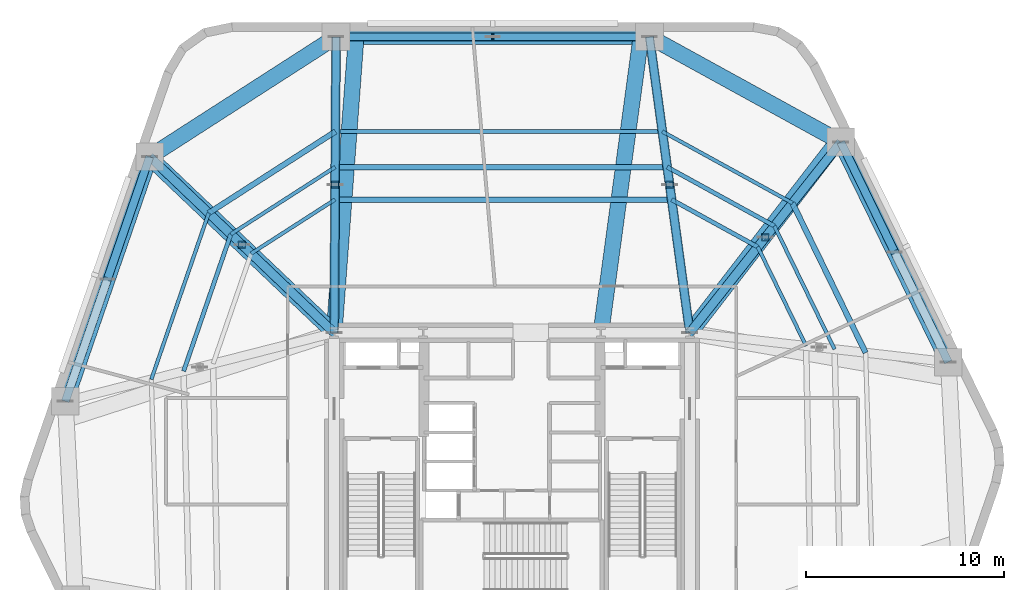
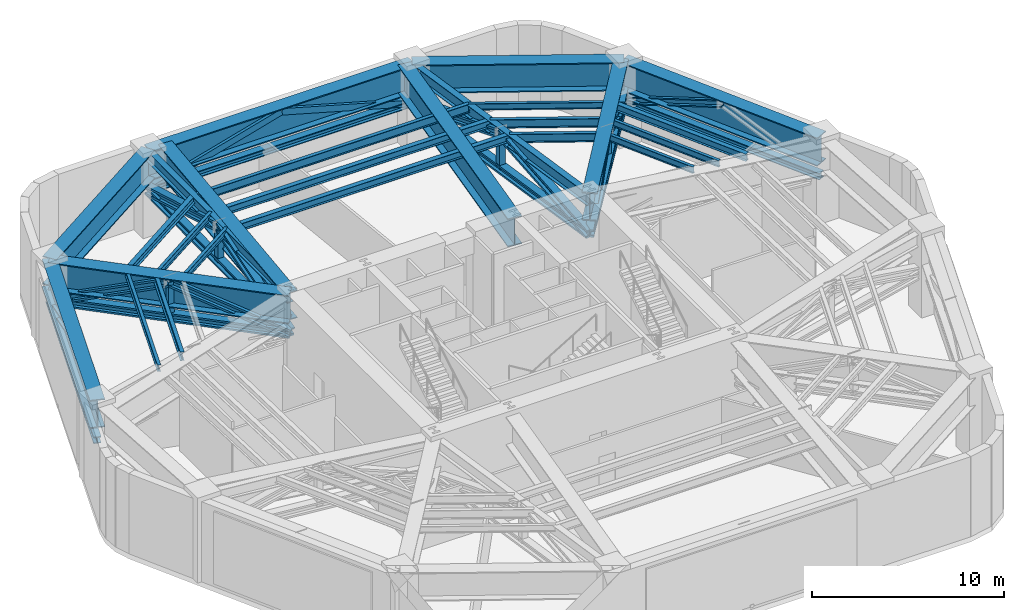
# One storey, part 4 of 11: 25 beams, 23 members.
"""IFC4 building model written with IfcOpenShell, lengths in metres."""

from ifc_helpers import new_model, si_unit, direction, frame, origin, origin_2d, place, context, subcontext, project, spatial, hollow_rectangle, i_section, extrude, material, material_profile, profile_set, type_object, element, save


model = new_model("IFC4")

# Units and contexts
model_context = context("Model", 3, precision=1e-05, world=origin(), true_north=direction((0.0, 1.0)))
body_context = subcontext(model_context, "Body", "Model", "MODEL_VIEW")
ifc_project = project(units=[si_unit("LENGTHUNIT", "METRE"), si_unit("AREAUNIT", "SQUARE_METRE"), si_unit("VOLUMEUNIT", "CUBIC_METRE"), si_unit("PLANEANGLEUNIT", "RADIAN"), si_unit("MASSUNIT", "GRAM", prefix="KILO")], contexts=[model_context])

# Site, building, storey
site_placement = place(None, origin())
site = spatial("IfcSite", under=ifc_project, at=site_placement, CompositionType="ELEMENT")
building_placement = place(site_placement, origin())
building = spatial("IfcBuilding", under=site, at=building_placement, Name="Kilnhurst Terrace Hotel", CompositionType="ELEMENT")
storey_placement = place(building_placement, frame((0.0, 0.0, 86.0)))
storey = spatial("IfcBuildingStorey", under=building, at=storey_placement, Name="L20", CompositionType="ELEMENT", Elevation=86.0)

# Beams
ifc_material_1 = material(Name="Steel ASTM A992 Grade 50", Category="steel")
ifc_material_profile_1 = material_profile(ifc_material_1, i_section(OverallWidth=0.354736328125, OverallDepth=0.695556640625, WebThickness=0.015380859375, FlangeThickness=0.025146484375, at=origin_2d()), Name="W27X146")
ifc_profile_set_1 = profile_set([ifc_material_profile_1], Name="Steel ASTM A992 Grade 50")
beam_type_1 = type_object("IfcBeamType", Name="BM-STL-W27X146", PredefinedType="BEAM", material=ifc_profile_set_1)
beam_1_placement = place(storey_placement, frame((-9.0, 7.5, 4.751953125), z_axis=(0.006339714179, 0.99997990381, 0.0), x_axis=(-0.99997990381, 0.006339714179, 0.0)))
element("IfcBeam", 1, at=beam_1_placement, inside=storey, type_object=beam_type_1, Name="L20 Radial Floor Beam 8", PredefinedType="BEAM", context=body_context, shape_type="SweptSolid", body=[
    extrude(i_section(OverallWidth=0.354736328125, OverallDepth=0.695556640625, WebThickness=0.015380859375, FlangeThickness=0.025146484375, at=origin_2d()), origin(), (0.0, 0.0, 1.0), 14.980224609375),
])
ifc_material_profile_2 = material_profile(ifc_material_1, i_section(OverallWidth=0.380615234375, OverallDepth=0.773193359375, WebThickness=0.0166015625, FlangeThickness=0.027099609375, at=origin_2d()), Name="W30X173")
ifc_profile_set_2 = profile_set([ifc_material_profile_2], Name="Steel ASTM A992 Grade 50")
beam_type_2 = type_object("IfcBeamType", Name="BM-STL-W30X173", PredefinedType="BEAM", material=ifc_profile_set_2)
beam_2_placement = place(storey_placement, frame((9.0, 7.5, 4.712890625), z_axis=(-0.13525588246, 0.990810701527, 0.0), x_axis=(-0.990810701527, -0.13525588246, 0.0)))
element("IfcBeam", 2, at=beam_2_placement, inside=storey, type_object=beam_type_2, Name="L20 Radial Floor Beam 7", PredefinedType="BEAM", context=body_context, shape_type="SweptSolid", body=[
    extrude(i_section(OverallWidth=0.380615234375, OverallDepth=0.773193359375, WebThickness=0.0166015625, FlangeThickness=0.027099609375, at=origin_2d()), origin(), (0.0, 0.0, 1.0), 15.118896484375),
])
ifc_material_profile_3 = material_profile(ifc_material_1, i_section(OverallWidth=0.180908203125, OverallDepth=0.417236328125, WebThickness=0.010986328125, FlangeThickness=0.018310546875, at=origin_2d()), Name="W16X57")
ifc_profile_set_3 = profile_set([ifc_material_profile_3], Name="Steel ASTM A992 Grade 50")
beam_type_3 = type_object("IfcBeamType", Name="JST-STL-W16X57", PredefinedType="JOIST", material=ifc_profile_set_3)
beam_3_placement = place(storey_placement, frame((14.197265625, 14.0634765625, 4.89111328125), z_axis=(-0.876246073632, 0.481863900334, 0.0), x_axis=(-0.481863900334, -0.876246073632, 0.0)))
element("IfcBeam", 3, at=beam_3_placement, inside=storey, type_object=beam_type_3, Name="L20 Secondary Floor Steel Joist OUT.6", PredefinedType="JOIST", context=body_context, shape_type="SweptSolid", body=[
    extrude(i_section(OverallWidth=0.180908203125, OverallDepth=0.417236328125, WebThickness=0.010986328125, FlangeThickness=0.018310546875, at=origin_2d()), origin(), (0.0, 0.0, 1.0), 7.518310546875),
])
beam_4_placement = place(storey_placement, frame((-15.349853515625, 13.5595703125, 4.89111328125), z_axis=(-0.326078536201, -0.945342682961, 0.0), x_axis=(0.945342682961, -0.326078536201, 0.0)))
element("IfcBeam", 4, at=beam_4_placement, inside=storey, type_object=beam_type_3, Name="L20 Secondary Floor Steel Joist OUT.9", PredefinedType="JOIST", context=body_context, shape_type="SweptSolid", body=[
    extrude(i_section(OverallWidth=0.180908203125, OverallDepth=0.417236328125, WebThickness=0.010986328125, FlangeThickness=0.018310546875, at=origin_2d()), origin(), (0.0, 0.0, 1.0), 8.90673828125),
])
beam_5_placement = place(storey_placement, frame((14.8876953125, 6.831298828125, 4.89111328125), z_axis=(-0.438896112695, 0.898537813484, 0.0), x_axis=(-0.898537813484, -0.438896112695, 0.0)))
element("IfcBeam", 5, at=beam_5_placement, inside=storey, type_object=beam_type_3, Name="L20 Secondary Floor Steel Joist IN.5", PredefinedType="JOIST", context=body_context, shape_type="SweptSolid", body=[
    extrude(i_section(OverallWidth=0.180908203125, OverallDepth=0.417236328125, WebThickness=0.010986328125, FlangeThickness=0.018310546875, at=origin_2d()), origin(), (0.0, 0.0, 1.0), 5.578125),
])
beam_6_placement = place(storey_placement, frame((-8.957275390625, 14.240966796875, 4.89111328125), z_axis=(-0.840988265896, -0.541053358389, 0.0), x_axis=(0.541053358389, -0.840988265896, 0.0)))
element("IfcBeam", 6, at=beam_6_placement, inside=storey, type_object=beam_type_3, Name="L20 Secondary Floor Steel Joist IN.8", PredefinedType="JOIST", context=body_context, shape_type="SweptSolid", body=[
    extrude(i_section(OverallWidth=0.180908203125, OverallDepth=0.417236328125, WebThickness=0.010986328125, FlangeThickness=0.018310546875, at=origin_2d()), origin(), (0.0, 0.0, 1.0), 5.04736328125),
])
beam_7_placement = place(storey_placement, frame((16.326904296875, 6.667724609375, 4.89111328125), z_axis=(-0.438922469067, 0.89852493908, 0.0), x_axis=(-0.89852493908, -0.438922469067, 0.0)))
element("IfcBeam", 7, at=beam_7_placement, inside=storey, type_object=beam_type_3, Name="L20 Secondary Floor Steel Joist MID.5", PredefinedType="JOIST", context=body_context, shape_type="SweptSolid", body=[
    extrude(i_section(OverallWidth=0.180908203125, OverallDepth=0.417236328125, WebThickness=0.010986328125, FlangeThickness=0.018310546875, at=origin_2d()), origin(), (0.0, 0.0, 1.0), 6.941650390625),
])
beam_8_placement = place(storey_placement, frame((-8.94677734375, 15.888916015625, 4.89111328125), z_axis=(-0.840975098445, -0.541073824719, 0.0), x_axis=(0.541073824719, -0.840975098445, 0.0)))
element("IfcBeam", 8, at=beam_8_placement, inside=storey, type_object=beam_type_3, Name="L20 Secondary Floor Steel Joist MID.8", PredefinedType="JOIST", context=body_context, shape_type="SweptSolid", body=[
    extrude(i_section(OverallWidth=0.180908203125, OverallDepth=0.417236328125, WebThickness=0.010986328125, FlangeThickness=0.018310546875, at=origin_2d()), origin(), (0.0, 0.0, 1.0), 6.28125),
])
ifc_material_profile_4 = material_profile(ifc_material_1, i_section(OverallWidth=0.279296875, OverallDepth=0.462890625, WebThickness=0.0107421875, FlangeThickness=0.017333984375, at=origin_2d()), Name="W18X76")
ifc_profile_set_4 = profile_set([ifc_material_profile_4], Name="Steel ASTM A992 Grade 50")
beam_type_4 = type_object("IfcBeamType", Name="JST-STL-W18X76", PredefinedType="JOIST", material=ifc_profile_set_4)
beam_9_placement = place(storey_placement, frame((17.897216796875, 6.489501953125, 4.867919921875), z_axis=(-0.438934275949, 0.898519171413, 0.0), x_axis=(-0.898519171413, -0.438934275949, 0.0)))
element("IfcBeam", 9, at=beam_9_placement, inside=storey, type_object=beam_type_4, Name="L20 Secondary Floor Steel Joist OUT.5", PredefinedType="JOIST", context=body_context, shape_type="SweptSolid", body=[
    extrude(i_section(OverallWidth=0.279296875, OverallDepth=0.462890625, WebThickness=0.0107421875, FlangeThickness=0.017333984375, at=origin_2d()), origin(), (0.0, 0.0, 1.0), 8.429443359375),
])
beam_10_placement = place(storey_placement, frame((-8.935302734375, 17.686279296875, 4.867919921875), z_axis=(-0.840995388529, -0.54104228714, 0.0), x_axis=(0.54104228714, -0.840995388529, 0.0)))
element("IfcBeam", 10, at=beam_10_placement, inside=storey, type_object=beam_type_4, Name="L20 Secondary Floor Steel Joist OUT.8", PredefinedType="JOIST", context=body_context, shape_type="SweptSolid", body=[
    extrude(i_section(OverallWidth=0.279296875, OverallDepth=0.462890625, WebThickness=0.0107421875, FlangeThickness=0.017333984375, at=origin_2d()), origin(), (0.0, 0.0, 1.0), 7.62744140625),
])
beam_11_placement = place(storey_placement, frame((8.079833984375, 14.240966796875, 4.867919921875), z_axis=(-1.0, 0.0, 0.0), x_axis=(0.0, -1.0, 0.0)))
element("IfcBeam", 11, at=beam_11_placement, inside=storey, type_object=beam_type_4, Name="L20 Secondary Floor Steel Joist IN.7", PredefinedType="JOIST", context=body_context, shape_type="SweptSolid", body=[
    extrude(i_section(OverallWidth=0.279296875, OverallDepth=0.462890625, WebThickness=0.0107421875, FlangeThickness=0.017333984375, at=origin_2d()), origin(), (0.0, 0.0, 1.0), 17.037109375),
])
beam_12_placement = place(storey_placement, frame((7.854736328125, 15.888916015625, 4.867919921875), z_axis=(-1.0, 0.0, 0.0), x_axis=(0.0, -1.0, 0.0)))
element("IfcBeam", 12, at=beam_12_placement, inside=storey, type_object=beam_type_4, Name="L20 Secondary Floor Steel Joist MID.7", PredefinedType="JOIST", context=body_context, shape_type="SweptSolid", body=[
    extrude(i_section(OverallWidth=0.279296875, OverallDepth=0.462890625, WebThickness=0.0107421875, FlangeThickness=0.017333984375, at=origin_2d()), origin(), (0.0, 0.0, 1.0), 16.801513671875),
])
ifc_material_profile_5 = material_profile(ifc_material_1, i_section(OverallWidth=0.2138671875, OverallDepth=0.549072265625, WebThickness=0.0146484375, FlangeThickness=0.023681640625, at=origin_2d()), Name="W21X93")
ifc_profile_set_5 = profile_set([ifc_material_profile_5], Name="Steel ASTM A992 Grade 50")
beam_type_5 = type_object("IfcBeamType", Name="JST-STL-W21X93", PredefinedType="JOIST", material=ifc_profile_set_5)
beam_13_placement = place(storey_placement, frame((7.609375, 17.686279296875, 4.824951171875), z_axis=(-1.0, 0.0, 0.0), x_axis=(0.0, -1.0, 0.0)))
element("IfcBeam", 13, at=beam_13_placement, inside=storey, type_object=beam_type_5, Name="L20 Secondary Floor Steel Joist OUT.7", PredefinedType="JOIST", context=body_context, shape_type="SweptSolid", body=[
    extrude(i_section(OverallWidth=0.2138671875, OverallDepth=0.549072265625, WebThickness=0.0146484375, FlangeThickness=0.023681640625, at=origin_2d()), origin(), (0.0, 0.0, 1.0), 16.544677734375),
])
beam_14_placement = place(storey_placement, frame((12.439453125, 11.843505859375, 4.824951171875), z_axis=(-0.876243879955, 0.481867889408, 0.0), x_axis=(-0.481867889408, -0.876243879955, 0.0)))
element("IfcBeam", 14, at=beam_14_placement, inside=storey, type_object=beam_type_5, Name="L20 Secondary Floor Steel Joist IN.6", PredefinedType="JOIST", context=body_context, shape_type="SweptSolid", body=[
    extrude(i_section(OverallWidth=0.2138671875, OverallDepth=0.549072265625, WebThickness=0.0146484375, FlangeThickness=0.023681640625, at=origin_2d()), origin(), (0.0, 0.0, 1.0), 4.975341796875),
])
beam_15_placement = place(storey_placement, frame((13.280029296875, 12.905029296875, 4.824951171875), z_axis=(-0.87621757367, 0.4819157225, 0.0), x_axis=(-0.4819157225, -0.87621757367, 0.0)))
element("IfcBeam", 15, at=beam_15_placement, inside=storey, type_object=beam_type_5, Name="L20 Secondary Floor Steel Joist MID.6", PredefinedType="JOIST", context=body_context, shape_type="SweptSolid", body=[
    extrude(i_section(OverallWidth=0.2138671875, OverallDepth=0.549072265625, WebThickness=0.0146484375, FlangeThickness=0.023681640625, at=origin_2d()), origin(), (0.0, 0.0, 1.0), 6.191650390625),
])
beam_16_placement = place(storey_placement, frame((-14.229248046875, 12.490234375, 4.824951171875), z_axis=(-0.326086077727, -0.945340081617, 0.0), x_axis=(0.945340081617, -0.326086077727, 0.0)))
element("IfcBeam", 16, at=beam_16_placement, inside=storey, type_object=beam_type_5, Name="L20 Secondary Floor Steel Joist MID.9", PredefinedType="JOIST", context=body_context, shape_type="SweptSolid", body=[
    extrude(i_section(OverallWidth=0.2138671875, OverallDepth=0.549072265625, WebThickness=0.0146484375, FlangeThickness=0.023681640625, at=origin_2d()), origin(), (0.0, 0.0, 1.0), 7.3349609375),
])

# Members
ifc_material_profile_6 = material_profile(ifc_material_1, i_section(OverallWidth=0.41845703125, OverallDepth=0.455078125, WebThickness=0.0419921875, FlangeThickness=0.067626953125, at=origin_2d()), Name="W14X370")
ifc_profile_set_6 = profile_set([ifc_material_profile_6], Name="Steel ASTM A992 Grade 50")
member_type_1 = type_object("IfcMemberType", Name="MEM-BLT-DIAG-370", PredefinedType="BRACE", material=ifc_profile_set_6)
member_1_placement = place(storey_placement, frame((16.64306640625, 17.152099609375, 2.52001953125), z_axis=(0.413066089168, -0.845441952446, 0.338532584878), x_axis=(0.898493817359, 0.438986173095, 0.0)))
element("IfcMember", 17, at=member_1_placement, inside=storey, type_object=member_type_1, Name="L20 Belt Truss Right Diagonal 3", PredefinedType="BRACE", context=body_context, shape_type="SweptSolid", body=[
    extrude(i_section(OverallWidth=0.41845703125, OverallDepth=0.455078125, WebThickness=0.0419921875, FlangeThickness=0.067626953125, at=origin_2d()), origin(), (0.0, 0.0, 1.0), 6.587158203125),
])
member_2_placement = place(storey_placement, frame((-18.337890625, 16.410888671875, 2.52001953125), z_axis=(-0.308776830074, -0.894852897944, 0.322327721816), x_axis=(0.945305614718, -0.326185981891, 0.0)))
element("IfcMember", 18, at=member_2_placement, inside=storey, type_object=member_type_1, Name="L20 Belt Truss Left Diagonal 5", PredefinedType="BRACE", context=body_context, shape_type="SweptSolid", body=[
    extrude(i_section(OverallWidth=0.41845703125, OverallDepth=0.455078125, WebThickness=0.0419921875, FlangeThickness=0.067626953125, at=origin_2d()), origin(), (0.0, 0.0, 1.0), 6.91845703125),
])
ifc_material_2 = material(Name="Steel ASTM A500 Grade C", Category="steel")
ifc_material_profile_7 = material_profile(ifc_material_2, hollow_rectangle(XDim=0.39990234375, YDim=0.39990234375, WallThickness=0.01611328125, at=origin_2d()), Name="HSS400X400X16")
ifc_profile_set_7 = profile_set([ifc_material_profile_7], Name="Steel ASTM A500 Grade C")
member_type_2 = type_object("IfcMemberType", Name="MEM-BLT-HSS-400", PredefinedType="BRACE", material=ifc_profile_set_7)
member_3_placement = place(storey_placement, frame((6.955078125, 22.47998046875, 2.52001953125), z_axis=(-0.962663008488, 0.0, 0.270702663615), x_axis=(0.0, -1.0, 0.0)))
element("IfcMember", 19, at=member_3_placement, inside=storey, type_object=member_type_2, Name="L20 Belt Truss Left Diagonal 4", PredefinedType="BRACE", context=body_context, shape_type="SweptSolid", body=[
    extrude(hollow_rectangle(XDim=0.39990234375, YDim=0.39990234375, WallThickness=0.01611328125, at=origin_2d()), origin(), (0.0, 0.0, 1.0), 8.23779296875),
])
member_4_placement = place(storey_placement, frame((-8.905029296875, 22.47998046875, 2.52001953125), z_axis=(0.962660836612, 0.0, 0.270710387045), x_axis=(0.0, 1.0, 0.0)))
element("IfcMember", 20, at=member_4_placement, inside=storey, type_object=member_type_2, Name="L20 Belt Truss Right Diagonal 4", PredefinedType="BRACE", context=body_context, shape_type="SweptSolid", body=[
    extrude(hollow_rectangle(XDim=0.39990234375, YDim=0.39990234375, WallThickness=0.01611328125, at=origin_2d()), origin(), (0.0, 0.0, 1.0), 8.237548828125),
])
ifc_material_profile_8 = material_profile(ifc_material_1, i_section(OverallWidth=0.40625, OverallDepth=0.416015625, WebThickness=0.02978515625, FlangeThickness=0.048095703125, at=origin_2d()), Name="W14X257")
ifc_profile_set_8 = profile_set([ifc_material_profile_8], Name="Steel ASTM A992 Grade 50")
member_type_3 = type_object("IfcMemberType", Name="MEM-CHD-W14X257", PredefinedType="CHORD", material=ifc_profile_set_8)
member_5_placement = place(storey_placement, frame((22.083984375, 6.013916015625, 2.52001953125), z_axis=(-0.438922573627, 0.898524888003, 0.0), x_axis=(-0.898524888003, -0.438922573627, 0.0)))
element("IfcMember", 21, at=member_5_placement, inside=storey, type_object=member_type_3, Name="L20 Belt Truss Bottom Chord 3", PredefinedType="CHORD", context=body_context, shape_type="SweptSolid", body=[
    extrude(i_section(OverallWidth=0.40625, OverallDepth=0.416015625, WebThickness=0.02978515625, FlangeThickness=0.048095703125, at=origin_2d()), origin(), (0.0, 0.0, 1.0), 12.39599609375),
])
member_6_placement = place(storey_placement, frame((6.955078125, 22.47998046875, 2.52001953125), z_axis=(-1.0, 0.0, 0.0), x_axis=(0.0, -1.0, 0.0)))
element("IfcMember", 22, at=member_6_placement, inside=storey, type_object=member_type_3, Name="L20 Belt Truss Bottom Chord 4", PredefinedType="CHORD", context=body_context, shape_type="SweptSolid", body=[
    extrude(i_section(OverallWidth=0.40625, OverallDepth=0.416015625, WebThickness=0.02978515625, FlangeThickness=0.048095703125, at=origin_2d()), origin(), (0.0, 0.0, 1.0), 15.860107421875),
])
member_7_placement = place(storey_placement, frame((-18.337890625, 16.410888671875, 2.52001953125), z_axis=(-0.326086040191, -0.945340094565, 0.0), x_axis=(0.945340094565, -0.326086040191, 0.0)))
element("IfcMember", 23, at=member_7_placement, inside=storey, type_object=member_type_3, Name="L20 Belt Truss Bottom Chord 5", PredefinedType="CHORD", context=body_context, shape_type="SweptSolid", body=[
    extrude(i_section(OverallWidth=0.40625, OverallDepth=0.416015625, WebThickness=0.02978515625, FlangeThickness=0.048095703125, at=origin_2d()), origin(), (0.0, 0.0, 1.0), 13.09765625),
])
ifc_material_profile_9 = material_profile(ifc_material_1, i_section(OverallWidth=0.44189453125, OverallDepth=0.531494140625, WebThickness=0.06591796875, FlangeThickness=0.105712890625, at=origin_2d()), Name="W14X605")
ifc_profile_set_9 = profile_set([ifc_material_profile_9], Name="Steel ASTM A992 Grade 50")
member_type_4 = type_object("IfcMemberType", Name="MEM-CHD-W14X605", PredefinedType="CHORD", material=ifc_profile_set_9)
member_8_placement = place(storey_placement, frame((9.0, 7.5, 2.52001953125), z_axis=(0.62079385707, 0.783973843329, 0.0), x_axis=(-0.783973843329, 0.62079385707, 0.0)))
element("IfcMember", 24, at=member_8_placement, inside=storey, type_object=member_type_4, Name="L20 Outrigger Bottom Chord 6", PredefinedType="CHORD", context=body_context, shape_type="SweptSolid", body=[
    extrude(i_section(OverallWidth=0.44189453125, OverallDepth=0.531494140625, WebThickness=0.06591796875, FlangeThickness=0.105712890625, at=origin_2d()), origin(), (0.0, 0.0, 1.0), 12.311767578125),
])
member_9_placement = place(storey_placement, frame((9.0, 7.5, 2.52001953125), z_axis=(-0.13525588246, 0.990810701527, 0.0), x_axis=(-0.990810701527, -0.13525588246, 0.0)))
element("IfcMember", 25, at=member_9_placement, inside=storey, type_object=member_type_4, Name="L20 Outrigger Bottom Chord 7", PredefinedType="CHORD", context=body_context, shape_type="SweptSolid", body=[
    extrude(i_section(OverallWidth=0.44189453125, OverallDepth=0.531494140625, WebThickness=0.06591796875, FlangeThickness=0.105712890625, at=origin_2d()), origin(), (0.0, 0.0, 1.0), 15.118896484375),
])
member_10_placement = place(storey_placement, frame((-9.0, 7.5, 2.52001953125), z_axis=(0.006339714179, 0.99997990381, 0.0), x_axis=(-0.99997990381, 0.006339714179, 0.0)))
element("IfcMember", 26, at=member_10_placement, inside=storey, type_object=member_type_4, Name="L20 Outrigger Bottom Chord 8", PredefinedType="CHORD", context=body_context, shape_type="SweptSolid", body=[
    extrude(i_section(OverallWidth=0.44189453125, OverallDepth=0.531494140625, WebThickness=0.06591796875, FlangeThickness=0.105712890625, at=origin_2d()), origin(), (0.0, 0.0, 1.0), 14.980224609375),
])
member_11_placement = place(storey_placement, frame((-9.0, 7.5, 2.52001953125), z_axis=(-0.723454302813, 0.690372270403, 0.0), x_axis=(-0.690372270403, -0.723454302813, 0.0)))
element("IfcMember", 27, at=member_11_placement, inside=storey, type_object=member_type_4, Name="L20 Outrigger Bottom Chord 9", PredefinedType="CHORD", context=body_context, shape_type="SweptSolid", body=[
    extrude(i_section(OverallWidth=0.44189453125, OverallDepth=0.531494140625, WebThickness=0.06591796875, FlangeThickness=0.105712890625, at=origin_2d()), origin(), (0.0, 0.0, 1.0), 12.907470703125),
])
ifc_material_profile_10 = material_profile(ifc_material_1, i_section(OverallWidth=0.454345703125, OverallDepth=0.569091796875, WebThickness=0.077880859375, FlangeThickness=0.124755859375, at=origin_2d()), Name="W14X730")
ifc_profile_set_10 = profile_set([ifc_material_profile_10], Name="Steel ASTM A992 Grade 50")
member_type_5 = type_object("IfcMemberType", Name="MEM-OTR-DIAG-730", PredefinedType="BRACE", material=ifc_profile_set_10)
member_12_placement = place(storey_placement, frame((9.0, 7.5, 2.52001953125), z_axis=(0.58373424017, 0.737060027176, 0.340583107615), x_axis=(-0.783927596889, 0.620852255239, 0.0)))
element("IfcMember", 28, at=member_12_placement, inside=storey, type_object=member_type_5, Name="L20 Outrigger Inner Diagonal 6", PredefinedType="BRACE", context=body_context, shape_type="SweptSolid", body=[
    extrude(i_section(OverallWidth=0.454345703125, OverallDepth=0.569091796875, WebThickness=0.077880859375, FlangeThickness=0.124755859375, at=origin_2d()), origin(), (0.0, 0.0, 1.0), 6.547607421875),
])
member_13_placement = place(storey_placement, frame((12.822021484375, 12.325927734375, 4.75), z_axis=(0.583619857175, 0.737141226544, -0.340603397575), x_axis=(-0.784020088535, 0.62073545152, 0.0)))
element("IfcMember", 29, at=member_13_placement, inside=storey, type_object=member_type_5, Name="L20 Outrigger Outer Diagonal 6", PredefinedType="BRACE", context=body_context, shape_type="SweptSolid", body=[
    extrude(i_section(OverallWidth=0.454345703125, OverallDepth=0.569091796875, WebThickness=0.077880859375, FlangeThickness=0.124755859375, at=origin_2d()), origin(), (0.0, 0.0, 1.0), 6.547119140625),
])
member_14_placement = place(storey_placement, frame((9.0, 7.5, 2.52001953125), z_axis=(-0.129668163194, 0.950331958582, 0.28294051663), x_axis=(-0.990819355754, -0.135192471175, 0.0)))
element("IfcMember", 30, at=member_14_placement, inside=storey, type_object=member_type_5, Name="L20 Outrigger Inner Diagonal 7", PredefinedType="BRACE", context=body_context, shape_type="SweptSolid", body=[
    extrude(i_section(OverallWidth=0.454345703125, OverallDepth=0.569091796875, WebThickness=0.077880859375, FlangeThickness=0.124755859375, at=origin_2d()), origin(), (0.0, 0.0, 1.0), 7.88134765625),
])
member_15_placement = place(storey_placement, frame((7.97802734375, 14.989990234375, 4.75), z_axis=(-0.129789983424, 0.950316682929, -0.282935968639), x_axis=(-0.990802043392, -0.135319292083, 0.0)))
element("IfcMember", 31, at=member_15_placement, inside=storey, type_object=member_type_5, Name="L20 Outrigger Outer Diagonal 7", PredefinedType="BRACE", context=body_context, shape_type="SweptSolid", body=[
    extrude(i_section(OverallWidth=0.454345703125, OverallDepth=0.569091796875, WebThickness=0.077880859375, FlangeThickness=0.124755859375, at=origin_2d()), origin(), (0.0, 0.0, 1.0), 7.881591796875),
])
for number, where, z_axis, x_axis, name in (
    (32, (-9.0, 7.5, 2.52001953125), (0.006029283014, 0.958406080773, 0.285344409589), (-0.999980212573, 0.006290823724, 0.0), "L20 Outrigger Inner Diagonal 8"),
    (33, (-8.952880859375, 14.989990234375, 4.75), (0.006122998952, 0.958405535007, -0.285344247099), (-0.999979592657, 0.006388604588, 0.0), "L20 Outrigger Outer Diagonal 8"),
):
    element("IfcMember", number, at=place(storey_placement, frame(where, z_axis=z_axis, x_axis=x_axis)), inside=storey, type_object=member_type_5, Name=name, PredefinedType="BRACE", context=body_context, shape_type="SweptSolid", body=[
        extrude(i_section(OverallWidth=0.454345703125, OverallDepth=0.569091796875, WebThickness=0.077880859375, FlangeThickness=0.124755859375, at=origin_2d()), origin(), (0.0, 0.0, 1.0), 7.81494140625),
    ])
member_16_placement = place(storey_placement, frame((-9.0, 7.5, 2.52001953125), z_axis=(-0.683744834624, 0.652568015141, 0.326570033437), x_axis=(-0.690421764346, -0.723407068888, 0.0)))
element("IfcMember", 34, at=member_16_placement, inside=storey, type_object=member_type_5, Name="L20 Outrigger Inner Diagonal 9", PredefinedType="BRACE", context=body_context, shape_type="SweptSolid", body=[
    extrude(i_section(OverallWidth=0.454345703125, OverallDepth=0.569091796875, WebThickness=0.077880859375, FlangeThickness=0.124755859375, at=origin_2d()), origin(), (0.0, 0.0, 1.0), 6.828369140625),
])
member_17_placement = place(storey_placement, frame((-13.6689453125, 11.9560546875, 4.75), z_axis=(-0.683824601333, 0.652465357693, -0.326608131592), x_axis=(-0.690322766765, -0.723501539519, 0.0)))
element("IfcMember", 35, at=member_17_placement, inside=storey, type_object=member_type_5, Name="L20 Outrigger Outer Diagonal 9", PredefinedType="BRACE", context=body_context, shape_type="SweptSolid", body=[
    extrude(i_section(OverallWidth=0.454345703125, OverallDepth=0.569091796875, WebThickness=0.077880859375, FlangeThickness=0.124755859375, at=origin_2d()), origin(), (0.0, 0.0, 1.0), 6.82763671875),
])
ifc_material_profile_11 = material_profile(ifc_material_2, hollow_rectangle(XDim=0.35009765625, YDim=0.35009765625, WallThickness=0.01611328125, at=origin_2d()), Name="HSS350X350X16")
ifc_profile_set_11 = profile_set([ifc_material_profile_11], Name="Steel ASTM A500 Grade C")
member_type_6 = type_object("IfcMemberType", Name="MEM-STR-HSS350", PredefinedType="STRUT", material=ifc_profile_set_11)
for number, where, z_axis, x_axis, name in (
    (36, (12.822021484375, 12.325927734375, 2.52001953125), (0.0, 0.0, 1.0), (1.0, 0.0, 0.0), "L20 Outrigger Web Post 6"),
    (37, (7.97802734375, 14.989990234375, 2.52001953125), (0.0, 0.0, 1.0), (1.0, 0.0, 0.0), "L20 Outrigger Web Post 7"),
    (38, (-8.952880859375, 14.989990234375, 2.52001953125), (0.0, 0.0, 1.0), (1.0, 0.0, 0.0), "L20 Outrigger Web Post 8"),
    (39, (-13.6689453125, 11.9560546875, 2.52001953125), (0.0, 0.0, 1.0), (1.0, 0.0, 0.0), "L20 Outrigger Web Post 9"),
):
    element("IfcMember", number, at=place(storey_placement, frame(where, z_axis=z_axis, x_axis=x_axis)), inside=storey, type_object=member_type_6, Name=name, PredefinedType="STRUT", context=body_context, shape_type="SweptSolid", body=[
        extrude(hollow_rectangle(XDim=0.35009765625, YDim=0.35009765625, WallThickness=0.01611328125, at=origin_2d()), origin(), (0.0, 0.0, 1.0), 2.22998046875),
    ])

# Beams
ifc_material_3 = material(Name="Steel ASTM A572 Grade 50", Category="steel")
ifc_material_profile_12 = material_profile(ifc_material_3, i_section(OverallWidth=0.800048828125, OverallDepth=1.800048828125, WebThickness=0.0400390625, FlangeThickness=0.06494140625, at=origin_2d()), Name="PG1800X800")
ifc_profile_set_12 = profile_set([ifc_material_profile_12], Name="Steel ASTM A572 Grade 50")
beam_type_6 = type_object("IfcBeamType", Name="TG-STEP-1800", PredefinedType="USERDEFINED", material=ifc_profile_set_12)
beam_17_placement = place(storey_placement, frame((22.083984375, 6.013916015625, 4.199951171875), z_axis=(-0.438922573627, 0.898524888003, 0.0), x_axis=(-0.898524888003, -0.438922573627, 0.0)))
element("IfcBeam", 40, at=beam_17_placement, inside=storey, type_object=beam_type_6, Name="L20 Zone Step Perimeter Transfer Girder 5", ObjectType="GIRDER", PredefinedType="USERDEFINED", context=body_context, shape_type="SweptSolid", body=[
    extrude(i_section(OverallWidth=0.800048828125, OverallDepth=1.800048828125, WebThickness=0.0400390625, FlangeThickness=0.06494140625, at=origin_2d()), origin(), (0.0, 0.0, 1.0), 12.39599609375),
])
beam_18_placement = place(storey_placement, frame((16.64306640625, 17.152099609375, 4.199951171875), z_axis=(-0.876235488803, 0.481883147829, 0.0), x_axis=(-0.481883147829, -0.876235488803, 0.0)))
element("IfcBeam", 41, at=beam_18_placement, inside=storey, type_object=beam_type_6, Name="L20 Zone Step Perimeter Transfer Girder 6", ObjectType="GIRDER", PredefinedType="USERDEFINED", context=body_context, shape_type="SweptSolid", body=[
    extrude(i_section(OverallWidth=0.800048828125, OverallDepth=1.800048828125, WebThickness=0.0400390625, FlangeThickness=0.06494140625, at=origin_2d()), origin(), (0.0, 0.0, 1.0), 11.056396484375),
])
beam_19_placement = place(storey_placement, frame((6.955078125, 22.47998046875, 4.199951171875), z_axis=(-1.0, 0.0, 0.0), x_axis=(0.0, -1.0, 0.0)))
element("IfcBeam", 42, at=beam_19_placement, inside=storey, type_object=beam_type_6, Name="L20 Zone Step Perimeter Transfer Girder 7", ObjectType="GIRDER", PredefinedType="USERDEFINED", context=body_context, shape_type="SweptSolid", body=[
    extrude(i_section(OverallWidth=0.800048828125, OverallDepth=1.800048828125, WebThickness=0.0400390625, FlangeThickness=0.06494140625, at=origin_2d()), origin(), (0.0, 0.0, 1.0), 15.860107421875),
])
beam_20_placement = place(storey_placement, frame((-8.905029296875, 22.47998046875, 4.199951171875), z_axis=(-0.840971204873, -0.541079876335, 0.0), x_axis=(0.541079876335, -0.840971204873, 0.0)))
element("IfcBeam", 43, at=beam_20_placement, inside=storey, type_object=beam_type_6, Name="L20 Zone Step Perimeter Transfer Girder 8", ObjectType="GIRDER", PredefinedType="USERDEFINED", context=body_context, shape_type="SweptSolid", body=[
    extrude(i_section(OverallWidth=0.800048828125, OverallDepth=1.800048828125, WebThickness=0.0400390625, FlangeThickness=0.06494140625, at=origin_2d()), origin(), (0.0, 0.0, 1.0), 11.216552734375),
])
beam_21_placement = place(storey_placement, frame((-18.337890625, 16.410888671875, 4.199951171875), z_axis=(-0.326086040191, -0.945340094565, 0.0), x_axis=(0.945340094565, -0.326086040191, 0.0)))
element("IfcBeam", 44, at=beam_21_placement, inside=storey, type_object=beam_type_6, Name="L20 Zone Step Perimeter Transfer Girder 9", ObjectType="GIRDER", PredefinedType="USERDEFINED", context=body_context, shape_type="SweptSolid", body=[
    extrude(i_section(OverallWidth=0.800048828125, OverallDepth=1.800048828125, WebThickness=0.0400390625, FlangeThickness=0.06494140625, at=origin_2d()), origin(), (0.0, 0.0, 1.0), 13.09765625),
])
beam_22_placement = place(storey_placement, frame((9.0, 7.5, 4.199951171875), z_axis=(0.610902751809, 0.791705644689, 0.0), x_axis=(-0.791705644689, 0.610902751809, 0.0)))
element("IfcBeam", 45, at=beam_22_placement, inside=storey, type_object=beam_type_6, Name="L20 Zone Step Radial Transfer Girder 6", ObjectType="GIRDER", PredefinedType="USERDEFINED", context=body_context, shape_type="SweptSolid", body=[
    extrude(i_section(OverallWidth=0.800048828125, OverallDepth=1.800048828125, WebThickness=0.0400390625, FlangeThickness=0.06494140625, at=origin_2d()), origin(), (0.0, 0.0, 1.0), 12.28662109375),
])
beam_23_placement = place(storey_placement, frame((4.5, 7.5, 4.199951171875), z_axis=(0.133955619973, 0.990987331845, 0.0), x_axis=(-0.990987331845, 0.133955619973, 0.0)))
element("IfcBeam", 46, at=beam_23_placement, inside=storey, type_object=beam_type_6, Name="L20 Zone Step Radial Transfer Girder 7", ObjectType="GIRDER", PredefinedType="USERDEFINED", context=body_context, shape_type="SweptSolid", body=[
    extrude(i_section(OverallWidth=0.800048828125, OverallDepth=1.800048828125, WebThickness=0.0400390625, FlangeThickness=0.06494140625, at=origin_2d()), origin(), (0.0, 0.0, 1.0), 15.1162109375),
])
beam_24_placement = place(storey_placement, frame((-9.0, 7.5, 4.199951171875), z_axis=(0.074113548841, 0.997249809164, 0.0), x_axis=(-0.997249809164, 0.074113548841, 0.0)))
element("IfcBeam", 47, at=beam_24_placement, inside=storey, type_object=beam_type_6, Name="L20 Zone Step Radial Transfer Girder 8", ObjectType="GIRDER", PredefinedType="USERDEFINED", context=body_context, shape_type="SweptSolid", body=[
    extrude(i_section(OverallWidth=0.800048828125, OverallDepth=1.800048828125, WebThickness=0.0400390625, FlangeThickness=0.06494140625, at=origin_2d()), origin(), (0.0, 0.0, 1.0), 15.021240234375),
])
beam_25_placement = place(storey_placement, frame((-9.0, 7.5, 4.199951171875), z_axis=(-0.724956888216, 0.688794243753, 0.0), x_axis=(-0.688794243753, -0.724956888216, 0.0)))
element("IfcBeam", 48, at=beam_25_placement, inside=storey, type_object=beam_type_6, Name="L20 Zone Step Radial Transfer Girder 9", ObjectType="GIRDER", PredefinedType="USERDEFINED", context=body_context, shape_type="SweptSolid", body=[
    extrude(i_section(OverallWidth=0.800048828125, OverallDepth=1.800048828125, WebThickness=0.0400390625, FlangeThickness=0.06494140625, at=origin_2d()), origin(), (0.0, 0.0, 1.0), 12.894775390625),
])

save(model, "model.ifc")
